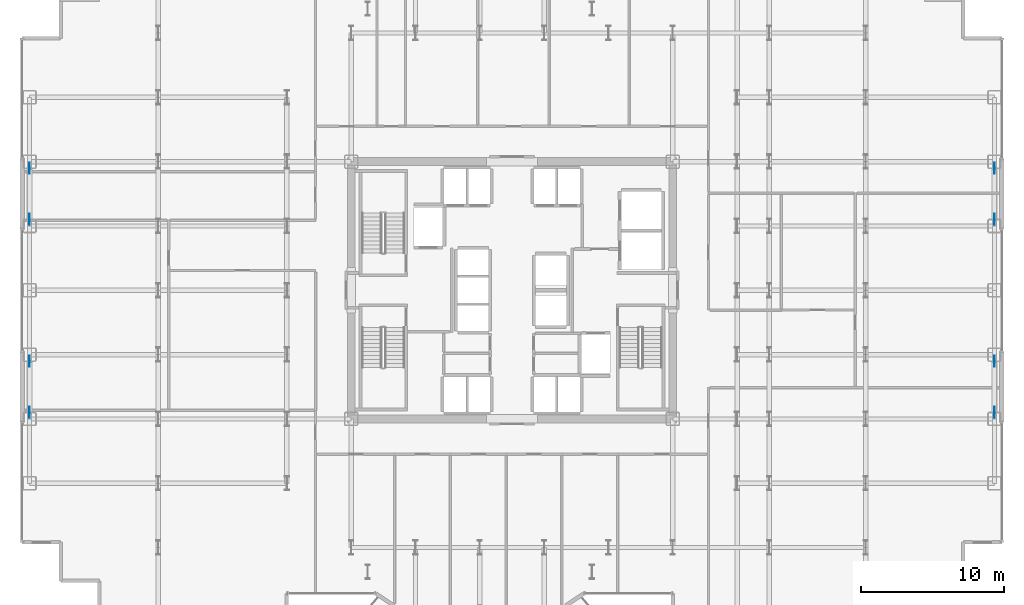
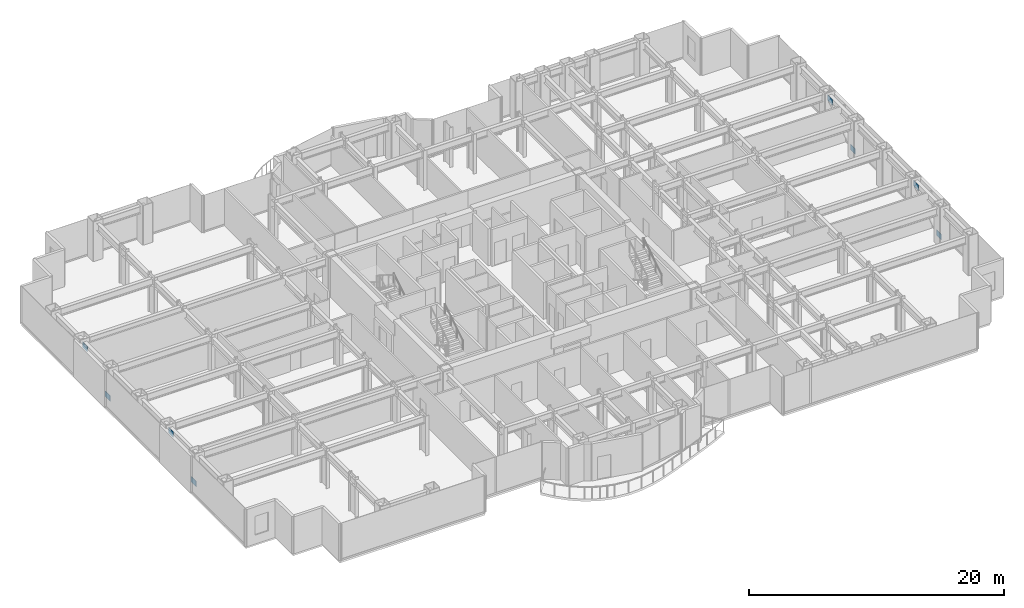
# One storey, part 21 of 29: 8 plates.
"""IFC4 building model written with IfcOpenShell, lengths in metres."""

from ifc_helpers import new_model, si_unit, direction, frame, origin, origin_2d, place, context, subcontext, project, spatial, rectangle, extrude, source, transform, mapped, material, layer, layer_set, type_object, element, save


model = new_model("IFC4")

# Units and contexts
model_context = context("Model", 3, precision=1e-05, world=origin(), true_north=direction((0.0, 1.0)))
body_context = subcontext(model_context, "Body", "Model", "MODEL_VIEW")
ifc_project = project(units=[si_unit("LENGTHUNIT", "METRE"), si_unit("AREAUNIT", "SQUARE_METRE"), si_unit("VOLUMEUNIT", "CUBIC_METRE"), si_unit("PLANEANGLEUNIT", "RADIAN"), si_unit("MASSUNIT", "GRAM", prefix="KILO")], contexts=[model_context])

# Site, building, storey
site_placement = place(None, origin())
site = spatial("IfcSite", under=ifc_project, at=site_placement, CompositionType="ELEMENT")
building_placement = place(site_placement, origin())
building = spatial("IfcBuilding", under=site, at=building_placement, Name="Nefas-Gora Pilgrimage Tower", CompositionType="ELEMENT")
storey_placement = place(building_placement, frame((0.0, 0.0, 90.800048828125)))
storey = spatial("IfcBuildingStorey", under=building, at=storey_placement, Name="L21", CompositionType="ELEMENT", Elevation=90.800048828125)

# Plates
ifc_material = material(Name="Steel S460", Category="steel")
ifc_layer = layer(ifc_material, 0.048095703125)
ifc_layer_set = layer_set([ifc_layer], Name="Steel S460")
plate_type = type_object("IfcPlateType", Name="PLT-NODE-N07", PredefinedType="USERDEFINED", material=ifc_layer_set)
shared_shape = source(origin(), body_context, "Body", "SweptSolid", [
    extrude(rectangle(XDim=0.780029296875, YDim=0.0380859375, at=origin_2d()), origin(), (0.0, 0.0, 1.0), 0.5400390625),
])
for number, where, z_axis, x_axis, name in (
    (1, (-33.75, -8.537109375, 0.211181640625), (0.0, 0.0, 1.0), (0.0, 1.0, 0.0), "Structural Node Gusset Plate N07 (L21)"),
    (2, (-33.75, -4.962890625, 2.7685546875), (0.0, 0.0, 1.0), (0.0, 1.0, 0.0), "Structural Node Gusset Plate N07 (L21)"),
    (3, (-33.75, 4.962890625, 0.211181640625), (0.0, 0.0, 1.0), (0.0, 1.0, 0.0), "Structural Node Gusset Plate N07 (L21)"),
    (4, (-33.75, 8.537109375, 2.7685546875), (0.0, 0.0, 1.0), (0.0, 1.0, 0.0), "Structural Node Gusset Plate N07 (L21)"),
    (5, (33.75, -8.537109375, 0.211181640625), (0.0, 0.0, 1.0), (0.0, 1.0, 0.0), "Structural Node Gusset Plate N07 (L21)"),
    (6, (33.75, -4.962890625, 2.7685546875), (0.0, 0.0, 1.0), (0.0, 1.0, 0.0), "Structural Node Gusset Plate N07 (L21)"),
    (7, (33.75, 4.962890625, 0.211181640625), (0.0, 0.0, 1.0), (0.0, 1.0, 0.0), "Structural Node Gusset Plate N07 (L21)"),
    (8, (33.75, 8.537109375, 2.7685546875), (0.0, 0.0, 1.0), (0.0, 1.0, 0.0), "Structural Node Gusset Plate N07 (L21)"),
):
    element("IfcPlate", number, at=place(storey_placement, frame(where, z_axis=z_axis, x_axis=x_axis)), inside=storey, type_object=plate_type, Name=name, ObjectType="GUSSET_PLATE", PredefinedType="USERDEFINED", context=body_context, shape_type="MappedRepresentation", body=[
        mapped(shared_shape, transform((0.0, 0.0, 0.0), x_axis=(1.0, 0.0, 0.0), y_axis=(0.0, 1.0, 0.0), z_axis=(0.0, 0.0, 1.0), scale=1.0)),
    ])

save(model, "model.ifc")
